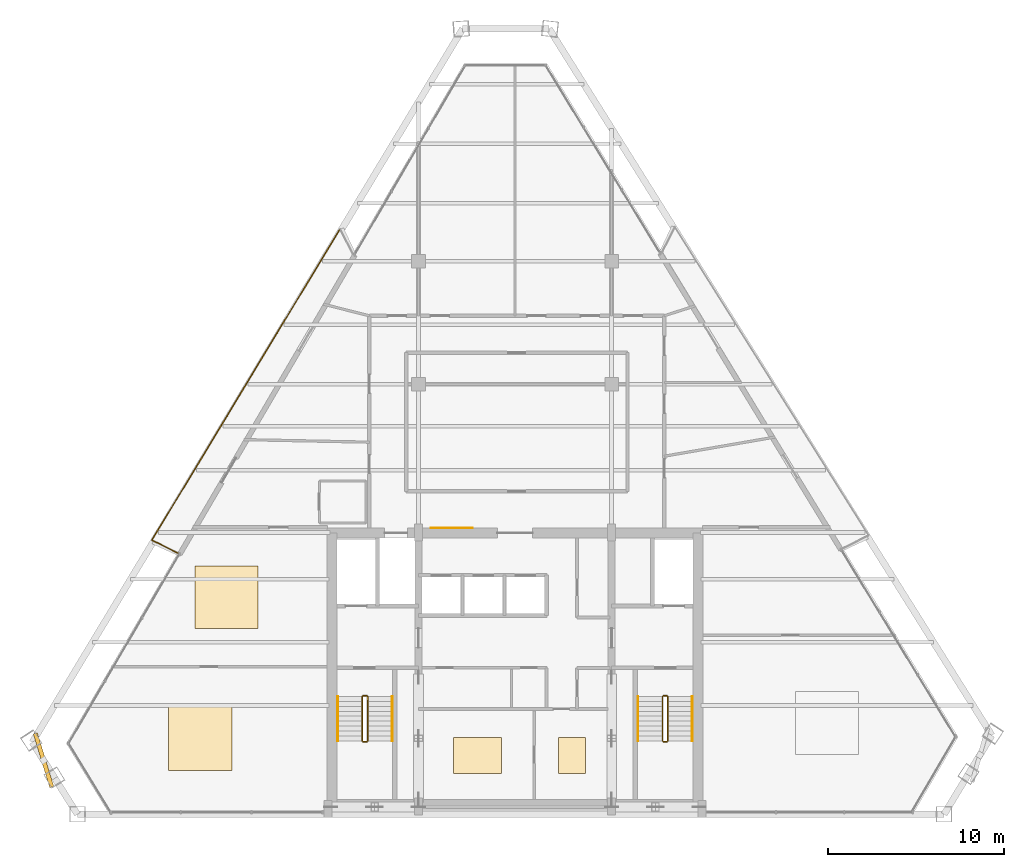
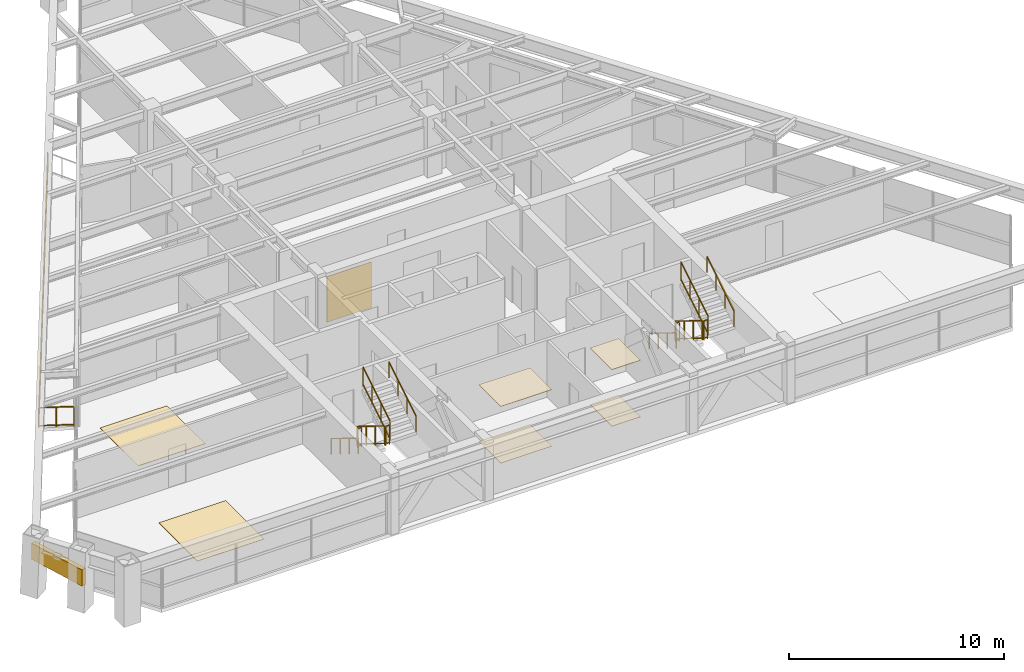
# One storey, part 12 of 13: 14 railings, 7 coverings, 1 shading device.
"""IFC4 building model written with IfcOpenShell, lengths in metres."""

from ifc_helpers import new_model, si_unit, direction, frame, origin, origin_2d, place, context, subcontext, project, spatial, rectangle, extrude, source, transform, mapped, material, layer, layer_set, type_object, type_shapes, element, save


model = new_model("IFC4")

# Units and contexts
model_context = context("Model", 3, precision=1e-05, world=origin(), true_north=direction((0.0, 1.0)))
body_context = subcontext(model_context, "Body", "Model", "MODEL_VIEW")
ifc_project = project(units=[si_unit("LENGTHUNIT", "METRE"), si_unit("AREAUNIT", "SQUARE_METRE"), si_unit("VOLUMEUNIT", "CUBIC_METRE"), si_unit("PLANEANGLEUNIT", "RADIAN"), si_unit("MASSUNIT", "GRAM", prefix="KILO")], contexts=[model_context])

# Site, building, storey
site_placement = place(None, origin())
site = spatial("IfcSite", under=ifc_project, at=site_placement, CompositionType="ELEMENT")
building_placement = place(site_placement, origin())
building = spatial("IfcBuilding", under=site, at=building_placement, Name="Varnakhor Terracotta Tower", CompositionType="ELEMENT")
storey_placement = place(building_placement, frame((0.0, 0.0, 251.050048828125)))
storey = spatial("IfcBuildingStorey", under=building, at=storey_placement, Name="L65", CompositionType="ELEMENT", Elevation=251.050048828125)

# Railings
ifc_material_1 = material(Name="Stainless Steel & Laminated Glass Guardrail", Category="steel")
railing_type_1 = type_object("IfcRailingType", Name="RLG-LOGGIA-GUARD-1150", PredefinedType="GUARDRAIL", material=ifc_material_1)
railing_1_placement = place(storey_placement, frame((-19.22021484375, 14.88525390625, 0.0)))
element("IfcRailing", 1, at=railing_1_placement, inside=storey, type_object=railing_type_1, Name="L65 W Loggia Glass Guard 1", PredefinedType="GUARDRAIL", context=body_context, shape_type="SweptSolid", body=[
    extrude(rectangle(XDim=0.048095703125, YDim=0.048095703125, at=origin_2d()), frame((0.0, 0.0, 1.1259765625), z_axis=(-0.894069157909, 0.447928946235, 0.0), x_axis=(-0.447928946235, -0.894069157909, 0.0)), (0.0, 0.0, 1.0), 1.637939453125),
    extrude(rectangle(XDim=0.048095703125, YDim=0.048095703125, at=origin_2d()), frame((0.0, 0.0, 0.10009765625), z_axis=(-0.894069157909, 0.447928946235, 0.0), x_axis=(-0.447928946235, -0.894069157909, 0.0)), (0.0, 0.0, 1.0), 1.637939453125),
    extrude(rectangle(XDim=0.0419921875, YDim=0.0419921875, at=origin_2d()), origin(), (0.0, 0.0, 1.0), 1.101806640625),
    extrude(rectangle(XDim=0.0419921875, YDim=0.0419921875, at=origin_2d()), frame((-0.732177734375, 0.36669921875, 0.0)), (0.0, 0.0, 1.0), 1.101806640625),
    extrude(rectangle(XDim=0.0419921875, YDim=0.0419921875, at=origin_2d()), frame((-1.46435546875, 0.733642578125, 0.0)), (0.0, 0.0, 1.0), 1.101806640625),
])
railing_2_placement = place(storey_placement, frame((-20.6845703125, 15.618896484375, 0.0)))
element("IfcRailing", 2, at=railing_2_placement, inside=storey, type_object=railing_type_1, Name="L65 W Loggia Glass Guard 2", PredefinedType="GUARDRAIL", context=body_context, shape_type="SweptSolid", body=[
    extrude(rectangle(XDim=0.048095703125, YDim=0.048095703125, at=origin_2d()), frame((0.0, 0.0, 1.1259765625), z_axis=(0.517249114204, 0.855834887029, 0.0), x_axis=(-0.855834887029, 0.517249114204, 0.0)), (0.0, 0.0, 1.0), 20.713134765625),
    extrude(rectangle(XDim=0.048095703125, YDim=0.048095703125, at=origin_2d()), frame((0.0, 0.0, 0.10009765625), z_axis=(0.517249114204, 0.855834887029, 0.0), x_axis=(-0.855834887029, 0.517249114204, 0.0)), (0.0, 0.0, 1.0), 20.713134765625),
    extrude(rectangle(XDim=0.0419921875, YDim=0.0419921875, at=origin_2d()), origin(), (0.0, 0.0, 1.0), 1.101806640625),
    extrude(rectangle(XDim=0.0419921875, YDim=0.0419921875, at=origin_2d()), frame((0.71435546875, 1.181884765625, 0.0)), (0.0, 0.0, 1.0), 1.101806640625),
    extrude(rectangle(XDim=0.0419921875, YDim=0.0419921875, at=origin_2d()), frame((1.428466796875, 2.363525390625, 0.0)), (0.0, 0.0, 1.0), 1.101806640625),
    extrude(rectangle(XDim=0.0419921875, YDim=0.0419921875, at=origin_2d()), frame((2.142822265625, 3.54541015625, 0.0)), (0.0, 0.0, 1.0), 1.101806640625),
    extrude(rectangle(XDim=0.0419921875, YDim=0.0419921875, at=origin_2d()), frame((2.85693359375, 4.727294921875, 0.0)), (0.0, 0.0, 1.0), 1.101806640625),
    extrude(rectangle(XDim=0.0419921875, YDim=0.0419921875, at=origin_2d()), frame((3.5712890625, 5.908935546875, 0.0)), (0.0, 0.0, 1.0), 1.101806640625),
    extrude(rectangle(XDim=0.0419921875, YDim=0.0419921875, at=origin_2d()), frame((4.28564453125, 7.0908203125, 0.0)), (0.0, 0.0, 1.0), 1.101806640625),
    extrude(rectangle(XDim=0.0419921875, YDim=0.0419921875, at=origin_2d()), frame((4.999755859375, 8.272705078125, 0.0)), (0.0, 0.0, 1.0), 1.101806640625),
    extrude(rectangle(XDim=0.0419921875, YDim=0.0419921875, at=origin_2d()), frame((5.714111328125, 9.454345703125, 0.0)), (0.0, 0.0, 1.0), 1.101806640625),
    extrude(rectangle(XDim=0.0419921875, YDim=0.0419921875, at=origin_2d()), frame((6.42822265625, 10.63623046875, 0.0)), (0.0, 0.0, 1.0), 1.101806640625),
    extrude(rectangle(XDim=0.0419921875, YDim=0.0419921875, at=origin_2d()), frame((7.142578125, 11.818115234375, 0.0)), (0.0, 0.0, 1.0), 1.101806640625),
    extrude(rectangle(XDim=0.0419921875, YDim=0.0419921875, at=origin_2d()), frame((7.85693359375, 12.999755859375, 0.0)), (0.0, 0.0, 1.0), 1.101806640625),
    extrude(rectangle(XDim=0.0419921875, YDim=0.0419921875, at=origin_2d()), frame((8.571044921875, 14.181640625, 0.0)), (0.0, 0.0, 1.0), 1.101806640625),
    extrude(rectangle(XDim=0.0419921875, YDim=0.0419921875, at=origin_2d()), frame((9.285400390625, 15.363525390625, 0.0)), (0.0, 0.0, 1.0), 1.101806640625),
    extrude(rectangle(XDim=0.0419921875, YDim=0.0419921875, at=origin_2d()), frame((9.99951171875, 16.545166015625, 0.0)), (0.0, 0.0, 1.0), 1.101806640625),
    extrude(rectangle(XDim=0.0419921875, YDim=0.0419921875, at=origin_2d()), frame((10.7138671875, 17.72705078125, 0.0)), (0.0, 0.0, 1.0), 1.101806640625),
])
ifc_material_2 = material(Name="Painted Steel Stairwell Guardrail", Category="steel")
railing_type_2 = type_object("IfcRailingType", Name="RLG-STAIR-GUARD-1120", PredefinedType="GUARDRAIL", material=ifc_material_2)
railing_3_placement = place(storey_placement, frame((-8.699951171875, 6.7099609375, 0.17236328125)))
element("IfcRailing", 3, at=railing_3_placement, inside=storey, type_object=railing_type_2, Name="L65 ST-1 stair guard 1", PredefinedType="GUARDRAIL", context=body_context, shape_type="SweptSolid", body=[
    extrude(rectangle(XDim=0.048095703125, YDim=0.048095703125, at=origin_2d()), frame((0.0, 0.0, 1.09619140625), z_axis=(0.0, -0.851400495292, 0.524516154772), x_axis=(1.0, 0.0, 0.0)), (0.0, 0.0, 1.0), 2.9599609375),
    extrude(rectangle(XDim=0.048095703125, YDim=0.048095703125, at=origin_2d()), frame((0.0, 0.0, 0.10009765625), z_axis=(0.0, -0.851400495292, 0.524516154772), x_axis=(1.0, 0.0, 0.0)), (0.0, 0.0, 1.0), 2.9599609375),
    extrude(rectangle(XDim=0.0419921875, YDim=0.0419921875, at=origin_2d()), origin(), (0.0, 0.0, 1.0), 1.072021484375),
    extrude(rectangle(XDim=0.0419921875, YDim=0.0419921875, at=origin_2d()), frame((0.0, -0.840087890625, 0.517578125)), (0.0, 0.0, 1.0), 1.072021484375),
    extrude(rectangle(XDim=0.0419921875, YDim=0.0419921875, at=origin_2d()), frame((0.0, -1.679931640625, 1.034912109375)), (0.0, 0.0, 1.0), 1.072021484375),
    extrude(rectangle(XDim=0.0419921875, YDim=0.0419921875, at=origin_2d()), frame((0.0, -2.52001953125, 1.552490234375)), (0.0, 0.0, 1.0), 1.072021484375),
])
railing_4_placement = place(storey_placement, frame((-8.64990234375, 4.139892578125, 1.724853515625)))
element("IfcRailing", 4, at=railing_4_placement, inside=storey, type_object=railing_type_2, Name="L65 ST-1 stair guard 2", PredefinedType="GUARDRAIL", context=body_context, shape_type="SweptSolid", body=[
    extrude(rectangle(XDim=0.048095703125, YDim=0.048095703125, at=origin_2d()), frame((0.0, 0.0, 1.09619140625), z_axis=(1.0, 0.0, 0.0), x_axis=(0.0, 1.0, 0.0)), (0.0, 0.0, 1.0), 0.199951171875),
    extrude(rectangle(XDim=0.048095703125, YDim=0.048095703125, at=origin_2d()), frame((0.0, 0.0, 0.10009765625), z_axis=(1.0, 0.0, 0.0), x_axis=(0.0, 1.0, 0.0)), (0.0, 0.0, 1.0), 0.199951171875),
    extrude(rectangle(XDim=0.0419921875, YDim=0.0419921875, at=origin_2d()), origin(), (0.0, 0.0, 1.0), 1.072021484375),
    extrude(rectangle(XDim=0.0419921875, YDim=0.0419921875, at=origin_2d()), frame((0.199951171875, 0.0, 0.0)), (0.0, 0.0, 1.0), 1.072021484375),
])
railing_5_placement = place(storey_placement, frame((-8.39990234375, 4.18994140625, 1.8974609375)))
element("IfcRailing", 5, at=railing_5_placement, inside=storey, type_object=railing_type_2, Name="L65 ST-1 stair guard 3", PredefinedType="GUARDRAIL", context=body_context, shape_type="SweptSolid", body=[
    extrude(rectangle(XDim=0.048095703125, YDim=0.048095703125, at=origin_2d()), frame((0.0, 0.0, 1.09619140625), z_axis=(0.0, 0.851400495292, 0.524516154772), x_axis=(-1.0, 0.0, 0.0)), (0.0, 0.0, 1.0), 2.9599609375),
    extrude(rectangle(XDim=0.048095703125, YDim=0.048095703125, at=origin_2d()), frame((0.0, 0.0, 0.10009765625), z_axis=(0.0, 0.851400495292, 0.524516154772), x_axis=(-1.0, 0.0, 0.0)), (0.0, 0.0, 1.0), 2.9599609375),
    extrude(rectangle(XDim=0.0419921875, YDim=0.0419921875, at=origin_2d()), origin(), (0.0, 0.0, 1.0), 1.072021484375),
    extrude(rectangle(XDim=0.0419921875, YDim=0.0419921875, at=origin_2d()), frame((0.0, 0.840087890625, 0.517578125)), (0.0, 0.0, 1.0), 1.072021484375),
    extrude(rectangle(XDim=0.0419921875, YDim=0.0419921875, at=origin_2d()), frame((0.0, 1.679931640625, 1.034912109375)), (0.0, 0.0, 1.0), 1.072021484375),
    extrude(rectangle(XDim=0.0419921875, YDim=0.0419921875, at=origin_2d()), frame((0.0, 2.52001953125, 1.552490234375)), (0.0, 0.0, 1.0), 1.072021484375),
])
railing_6_placement = place(storey_placement, frame((-8.64990234375, 6.760009765625, 0.0)))
element("IfcRailing", 6, at=railing_6_placement, inside=storey, type_object=railing_type_2, Name="L65 ST-1 stair guard 4", PredefinedType="GUARDRAIL", context=body_context, shape_type="SweptSolid", body=[
    extrude(rectangle(XDim=0.048095703125, YDim=0.048095703125, at=origin_2d()), frame((0.0, 0.0, 1.09619140625), z_axis=(1.0, 0.0, 0.0), x_axis=(0.0, 1.0, 0.0)), (0.0, 0.0, 1.0), 0.199951171875),
    extrude(rectangle(XDim=0.048095703125, YDim=0.048095703125, at=origin_2d()), frame((0.0, 0.0, 0.10009765625), z_axis=(1.0, 0.0, 0.0), x_axis=(0.0, 1.0, 0.0)), (0.0, 0.0, 1.0), 0.199951171875),
    extrude(rectangle(XDim=0.0419921875, YDim=0.0419921875, at=origin_2d()), origin(), (0.0, 0.0, 1.0), 1.072021484375),
    extrude(rectangle(XDim=0.0419921875, YDim=0.0419921875, at=origin_2d()), frame((0.199951171875, 0.0, 0.0)), (0.0, 0.0, 1.0), 1.072021484375),
])
railing_7_placement = place(storey_placement, frame((8.39990234375, 6.7099609375, 0.17236328125)))
element("IfcRailing", 7, at=railing_7_placement, inside=storey, type_object=railing_type_2, Name="L65 ST-2 stair guard 1", PredefinedType="GUARDRAIL", context=body_context, shape_type="SweptSolid", body=[
    extrude(rectangle(XDim=0.048095703125, YDim=0.048095703125, at=origin_2d()), frame((0.0, 0.0, 1.09619140625), z_axis=(0.0, -0.851400495292, 0.524516154772), x_axis=(1.0, 0.0, 0.0)), (0.0, 0.0, 1.0), 2.9599609375),
    extrude(rectangle(XDim=0.048095703125, YDim=0.048095703125, at=origin_2d()), frame((0.0, 0.0, 0.10009765625), z_axis=(0.0, -0.851400495292, 0.524516154772), x_axis=(1.0, 0.0, 0.0)), (0.0, 0.0, 1.0), 2.9599609375),
    extrude(rectangle(XDim=0.0419921875, YDim=0.0419921875, at=origin_2d()), origin(), (0.0, 0.0, 1.0), 1.072021484375),
    extrude(rectangle(XDim=0.0419921875, YDim=0.0419921875, at=origin_2d()), frame((0.0, -0.840087890625, 0.517578125)), (0.0, 0.0, 1.0), 1.072021484375),
    extrude(rectangle(XDim=0.0419921875, YDim=0.0419921875, at=origin_2d()), frame((0.0, -1.679931640625, 1.034912109375)), (0.0, 0.0, 1.0), 1.072021484375),
    extrude(rectangle(XDim=0.0419921875, YDim=0.0419921875, at=origin_2d()), frame((0.0, -2.52001953125, 1.552490234375)), (0.0, 0.0, 1.0), 1.072021484375),
])
railing_8_placement = place(storey_placement, frame((8.449951171875, 4.139892578125, 1.724853515625)))
element("IfcRailing", 8, at=railing_8_placement, inside=storey, type_object=railing_type_2, Name="L65 ST-2 stair guard 2", PredefinedType="GUARDRAIL", context=body_context, shape_type="SweptSolid", body=[
    extrude(rectangle(XDim=0.048095703125, YDim=0.048095703125, at=origin_2d()), frame((0.0, 0.0, 1.09619140625), z_axis=(1.0, 0.0, 0.0), x_axis=(0.0, 1.0, 0.0)), (0.0, 0.0, 1.0), 0.199951171875),
    extrude(rectangle(XDim=0.048095703125, YDim=0.048095703125, at=origin_2d()), frame((0.0, 0.0, 0.10009765625), z_axis=(1.0, 0.0, 0.0), x_axis=(0.0, 1.0, 0.0)), (0.0, 0.0, 1.0), 0.199951171875),
    extrude(rectangle(XDim=0.0419921875, YDim=0.0419921875, at=origin_2d()), origin(), (0.0, 0.0, 1.0), 1.072021484375),
    extrude(rectangle(XDim=0.0419921875, YDim=0.0419921875, at=origin_2d()), frame((0.199951171875, 0.0, 0.0)), (0.0, 0.0, 1.0), 1.072021484375),
])
railing_9_placement = place(storey_placement, frame((8.699951171875, 4.18994140625, 1.8974609375)))
element("IfcRailing", 9, at=railing_9_placement, inside=storey, type_object=railing_type_2, Name="L65 ST-2 stair guard 3", PredefinedType="GUARDRAIL", context=body_context, shape_type="SweptSolid", body=[
    extrude(rectangle(XDim=0.048095703125, YDim=0.048095703125, at=origin_2d()), frame((0.0, 0.0, 1.09619140625), z_axis=(0.0, 0.851400495292, 0.524516154772), x_axis=(-1.0, 0.0, 0.0)), (0.0, 0.0, 1.0), 2.9599609375),
    extrude(rectangle(XDim=0.048095703125, YDim=0.048095703125, at=origin_2d()), frame((0.0, 0.0, 0.10009765625), z_axis=(0.0, 0.851400495292, 0.524516154772), x_axis=(-1.0, 0.0, 0.0)), (0.0, 0.0, 1.0), 2.9599609375),
    extrude(rectangle(XDim=0.0419921875, YDim=0.0419921875, at=origin_2d()), origin(), (0.0, 0.0, 1.0), 1.072021484375),
    extrude(rectangle(XDim=0.0419921875, YDim=0.0419921875, at=origin_2d()), frame((0.0, 0.840087890625, 0.517578125)), (0.0, 0.0, 1.0), 1.072021484375),
    extrude(rectangle(XDim=0.0419921875, YDim=0.0419921875, at=origin_2d()), frame((0.0, 1.679931640625, 1.034912109375)), (0.0, 0.0, 1.0), 1.072021484375),
    extrude(rectangle(XDim=0.0419921875, YDim=0.0419921875, at=origin_2d()), frame((0.0, 2.52001953125, 1.552490234375)), (0.0, 0.0, 1.0), 1.072021484375),
])
railing_10_placement = place(storey_placement, frame((8.449951171875, 6.760009765625, 0.0)))
element("IfcRailing", 10, at=railing_10_placement, inside=storey, type_object=railing_type_2, Name="L65 ST-2 stair guard 4", PredefinedType="GUARDRAIL", context=body_context, shape_type="SweptSolid", body=[
    extrude(rectangle(XDim=0.048095703125, YDim=0.048095703125, at=origin_2d()), frame((0.0, 0.0, 1.09619140625), z_axis=(1.0, 0.0, 0.0), x_axis=(0.0, 1.0, 0.0)), (0.0, 0.0, 1.0), 0.199951171875),
    extrude(rectangle(XDim=0.048095703125, YDim=0.048095703125, at=origin_2d()), frame((0.0, 0.0, 0.10009765625), z_axis=(1.0, 0.0, 0.0), x_axis=(0.0, 1.0, 0.0)), (0.0, 0.0, 1.0), 0.199951171875),
    extrude(rectangle(XDim=0.0419921875, YDim=0.0419921875, at=origin_2d()), origin(), (0.0, 0.0, 1.0), 1.072021484375),
    extrude(rectangle(XDim=0.0419921875, YDim=0.0419921875, at=origin_2d()), frame((0.199951171875, 0.0, 0.0)), (0.0, 0.0, 1.0), 1.072021484375),
])
ifc_material_3 = material(Name="Brushed Stainless Steel Handrail", Category="steel")
railing_type_3 = type_object("IfcRailingType", Name="RLG-STAIR-HANDRAIL-920", PredefinedType="HANDRAIL", material=ifc_material_3)
railing_11_placement = place(storey_placement, frame((-10.10009765625, 6.7099609375, 0.17236328125)))
element("IfcRailing", 11, at=railing_11_placement, inside=storey, type_object=railing_type_3, Name="L65 ST-1 stair handrail 1", PredefinedType="HANDRAIL", context=body_context, shape_type="SweptSolid", body=[
    extrude(rectangle(XDim=0.048095703125, YDim=0.048095703125, at=origin_2d()), frame((0.0, 0.0, 0.89599609375), z_axis=(0.0, -0.851400495292, 0.524516154772), x_axis=(1.0, 0.0, 0.0)), (0.0, 0.0, 1.0), 2.9599609375),
    extrude(rectangle(XDim=0.0419921875, YDim=0.0419921875, at=origin_2d()), origin(), (0.0, 0.0, 1.0), 0.871826171875),
    extrude(rectangle(XDim=0.0419921875, YDim=0.0419921875, at=origin_2d()), frame((0.0, -0.840087890625, 0.517578125)), (0.0, 0.0, 1.0), 0.871826171875),
    extrude(rectangle(XDim=0.0419921875, YDim=0.0419921875, at=origin_2d()), frame((0.0, -1.679931640625, 1.034912109375)), (0.0, 0.0, 1.0), 0.871826171875),
    extrude(rectangle(XDim=0.0419921875, YDim=0.0419921875, at=origin_2d()), frame((0.0, -2.52001953125, 1.552490234375)), (0.0, 0.0, 1.0), 0.871826171875),
])
railing_12_placement = place(storey_placement, frame((-7.0, 4.18994140625, 1.8974609375)))
element("IfcRailing", 12, at=railing_12_placement, inside=storey, type_object=railing_type_3, Name="L65 ST-1 stair handrail 2", PredefinedType="HANDRAIL", context=body_context, shape_type="SweptSolid", body=[
    extrude(rectangle(XDim=0.048095703125, YDim=0.048095703125, at=origin_2d()), frame((0.0, 0.0, 0.89599609375), z_axis=(0.0, 0.851400495292, 0.524516154772), x_axis=(-1.0, 0.0, 0.0)), (0.0, 0.0, 1.0), 2.9599609375),
    extrude(rectangle(XDim=0.0419921875, YDim=0.0419921875, at=origin_2d()), origin(), (0.0, 0.0, 1.0), 0.871826171875),
    extrude(rectangle(XDim=0.0419921875, YDim=0.0419921875, at=origin_2d()), frame((0.0, 0.840087890625, 0.517578125)), (0.0, 0.0, 1.0), 0.871826171875),
    extrude(rectangle(XDim=0.0419921875, YDim=0.0419921875, at=origin_2d()), frame((0.0, 1.679931640625, 1.034912109375)), (0.0, 0.0, 1.0), 0.871826171875),
    extrude(rectangle(XDim=0.0419921875, YDim=0.0419921875, at=origin_2d()), frame((0.0, 2.52001953125, 1.552490234375)), (0.0, 0.0, 1.0), 0.871826171875),
])
railing_13_placement = place(storey_placement, frame((7.0, 6.7099609375, 0.17236328125)))
element("IfcRailing", 13, at=railing_13_placement, inside=storey, type_object=railing_type_3, Name="L65 ST-2 stair handrail 1", PredefinedType="HANDRAIL", context=body_context, shape_type="SweptSolid", body=[
    extrude(rectangle(XDim=0.048095703125, YDim=0.048095703125, at=origin_2d()), frame((0.0, 0.0, 0.89599609375), z_axis=(0.0, -0.851400495292, 0.524516154772), x_axis=(1.0, 0.0, 0.0)), (0.0, 0.0, 1.0), 2.9599609375),
    extrude(rectangle(XDim=0.0419921875, YDim=0.0419921875, at=origin_2d()), origin(), (0.0, 0.0, 1.0), 0.871826171875),
    extrude(rectangle(XDim=0.0419921875, YDim=0.0419921875, at=origin_2d()), frame((0.0, -0.840087890625, 0.517578125)), (0.0, 0.0, 1.0), 0.871826171875),
    extrude(rectangle(XDim=0.0419921875, YDim=0.0419921875, at=origin_2d()), frame((0.0, -1.679931640625, 1.034912109375)), (0.0, 0.0, 1.0), 0.871826171875),
    extrude(rectangle(XDim=0.0419921875, YDim=0.0419921875, at=origin_2d()), frame((0.0, -2.52001953125, 1.552490234375)), (0.0, 0.0, 1.0), 0.871826171875),
])
railing_14_placement = place(storey_placement, frame((10.10009765625, 4.18994140625, 1.8974609375)))
element("IfcRailing", 14, at=railing_14_placement, inside=storey, type_object=railing_type_3, Name="L65 ST-2 stair handrail 2", PredefinedType="HANDRAIL", context=body_context, shape_type="SweptSolid", body=[
    extrude(rectangle(XDim=0.048095703125, YDim=0.048095703125, at=origin_2d()), frame((0.0, 0.0, 0.89599609375), z_axis=(0.0, 0.851400495292, 0.524516154772), x_axis=(-1.0, 0.0, 0.0)), (0.0, 0.0, 1.0), 2.9599609375),
    extrude(rectangle(XDim=0.0419921875, YDim=0.0419921875, at=origin_2d()), origin(), (0.0, 0.0, 1.0), 0.871826171875),
    extrude(rectangle(XDim=0.0419921875, YDim=0.0419921875, at=origin_2d()), frame((0.0, 0.840087890625, 0.517578125)), (0.0, 0.0, 1.0), 0.871826171875),
    extrude(rectangle(XDim=0.0419921875, YDim=0.0419921875, at=origin_2d()), frame((0.0, 1.679931640625, 1.034912109375)), (0.0, 0.0, 1.0), 0.871826171875),
    extrude(rectangle(XDim=0.0419921875, YDim=0.0419921875, at=origin_2d()), frame((0.0, 2.52001953125, 1.552490234375)), (0.0, 0.0, 1.0), 0.871826171875),
])

# Shading device
ifc_material_4 = material(Name="Extruded Architectural Terracotta Screen", Category="masonry")
shading_device_type = type_object("IfcShadingDeviceType", Name="TERRACOTTA SOLAR SCREEN W", PredefinedType="USERDEFINED", material=ifc_material_4)
shared_shape_1 = source(origin(), body_context, "Body", "SweptSolid", [
    extrude(rectangle(XDim=3.199951171875, YDim=0.239990234375, at=origin_2d()), origin(), (0.0, 0.0, 1.0), 0.919921875),
])
type_shapes(shading_device_type, [shared_shape_1])
shading_device_placement = place(storey_placement, frame((-26.857177734375, 3.080322265625, 1.56201171875), z_axis=(0.0, 0.0, 1.0), x_axis=(0.293506463878, -0.955957088818, 0.0)))
element("IfcShadingDevice", 15, at=shading_device_placement, inside=storey, type_object=shading_device_type, Name="L65 W Terracotta Solar Screen", ObjectType="SCREEN", PredefinedType="USERDEFINED", context=body_context, shape_type="MappedRepresentation", body=[
    mapped(shared_shape_1, transform((0.0, 0.0, 0.0), scale=1.0)),
])

# Coverings
ifc_material_5 = material(Name="Extruded Architectural Terracotta Cladding", Category="masonry")
ifc_layer_1 = layer(ifc_material_5, 0.044921875, Name="Extruded Architectural Terracotta Cladding")
ifc_layer_set_1 = layer_set([ifc_layer_1], Name="Extruded Architectural Terracotta Cladding")
covering_type_1 = type_object("IfcCoveringType", Name="COV-CLAD-TERRACOTTA", PredefinedType="CLADDING", material=ifc_layer_set_1)
shared_shape_2 = source(origin(), body_context, "Body", "SweptSolid", [
    extrude(rectangle(XDim=2.39990234375, YDim=0.030029296875, at=origin_2d()), origin(), (0.0, 0.0, 1.0), 2.60009765625),
])
type_shapes(covering_type_1, [shared_shape_2])
covering_1_placement = place(storey_placement, frame((-3.60009765625, 16.31201171875, 0.0), z_axis=(0.0, 0.0, 1.0), x_axis=(1.0, 0.0, 0.0)))
element("IfcCovering", 16, at=covering_1_placement, inside=storey, type_object=covering_type_1, Name="L65 Core Lobby Limestone Cladding", PredefinedType="CLADDING", context=body_context, shape_type="MappedRepresentation", body=[
    mapped(shared_shape_2, transform((0.0, 0.0, 0.0), scale=1.0)),
])
ifc_material_6 = material(Name="Honed Riyadh Limestone Flooring", Category="masonry")
ifc_layer_2 = layer(ifc_material_6, 0.030029296875, Name="Honed Riyadh Limestone Flooring")
ifc_layer_set_2 = layer_set([ifc_layer_2], Name="Honed Riyadh Limestone Flooring")
covering_type_2 = type_object("IfcCoveringType", Name="COV-FLOOR-LIMESTONE", PredefinedType="FLOORING", material=ifc_layer_set_2)
shared_shape_3 = source(origin(), body_context, "Body", "SweptSolid", [
    extrude(rectangle(XDim=3.60009765625, YDim=3.60009765625, at=origin_2d()), origin(), (0.0, 0.0, 1.0), 0.02001953125),
])
covering_2_placement = place(storey_placement, frame((-17.927001953125, 4.303955078125, 0.0), z_axis=(0.0, 0.0, 1.0), x_axis=(1.0, 0.0, 0.0)))
element("IfcCovering", 17, at=covering_2_placement, inside=storey, type_object=covering_type_2, Name="L65 Honed Stone Flooring 3", PredefinedType="FLOORING", context=body_context, shape_type="MappedRepresentation", body=[
    mapped(shared_shape_3, transform((0.0, 0.0, 0.0), scale=1.0)),
])
shared_shape_4 = source(origin(), body_context, "Body", "SweptSolid", [
    extrude(rectangle(XDim=2.75, YDim=2.041015625, at=origin_2d()), origin(), (0.0, 0.0, 1.0), 0.02001953125),
])
covering_3_placement = place(storey_placement, frame((-2.139892578125, 3.35498046875, 0.0), z_axis=(0.0, 0.0, 1.0), x_axis=(1.0, 0.0, 0.0)))
element("IfcCovering", 18, at=covering_3_placement, inside=storey, type_object=covering_type_2, Name="L65 Honed Stone Flooring 1", PredefinedType="FLOORING", context=body_context, shape_type="MappedRepresentation", body=[
    mapped(shared_shape_4, transform((0.0, 0.0, 0.0), scale=1.0)),
])
ifc_material_7 = material(Name="Perforated Acoustic Mineral-Fibre Ceiling", Category="gypsum")
ifc_layer_3 = layer(ifc_material_7, 0.02490234375, Name="Perforated Acoustic Mineral-Fibre Ceiling")
ifc_layer_set_3 = layer_set([ifc_layer_3], Name="Perforated Acoustic Mineral-Fibre Ceiling")
covering_type_3 = type_object("IfcCoveringType", Name="COV-CEILING-ACOUSTIC", PredefinedType="CEILING", material=ifc_layer_set_3)
shared_shape_5 = source(origin(), body_context, "Body", "SweptSolid", [
    extrude(rectangle(XDim=2.75, YDim=2.041015625, at=origin_2d()), origin(), (0.0, 0.0, 1.0), 0.02392578125),
])
covering_4_placement = place(storey_placement, frame((-2.139892578125, 3.35498046875, 3.216064453125), z_axis=(0.0, 0.0, 1.0), x_axis=(1.0, 0.0, 0.0)))
element("IfcCovering", 19, at=covering_4_placement, inside=storey, type_object=covering_type_3, Name="L65 Acoustic Ceiling Panel 1", PredefinedType="CEILING", context=body_context, shape_type="MappedRepresentation", body=[
    mapped(shared_shape_5, transform((0.0, 0.0, 0.0), scale=1.0)),
])
shared_shape_6 = source(origin(), body_context, "Body", "SweptSolid", [
    extrude(rectangle(XDim=1.5400390625, YDim=2.041015625, at=origin_2d()), origin(), (0.0, 0.0, 1.0), 0.02001953125),
])
covering_5_placement = place(storey_placement, frame((3.239990234375, 3.35498046875, 0.0), z_axis=(0.0, 0.0, 1.0), x_axis=(1.0, 0.0, 0.0)))
element("IfcCovering", 20, at=covering_5_placement, inside=storey, type_object=covering_type_2, Name="L65 Honed Stone Flooring 2", PredefinedType="FLOORING", context=body_context, shape_type="MappedRepresentation", body=[
    mapped(shared_shape_6, transform((0.0, 0.0, 0.0), scale=1.0)),
])
shared_shape_7 = source(origin(), body_context, "Body", "SweptSolid", [
    extrude(rectangle(XDim=1.5400390625, YDim=2.041015625, at=origin_2d()), origin(), (0.0, 0.0, 1.0), 0.02392578125),
])
covering_6_placement = place(storey_placement, frame((3.239990234375, 3.35498046875, 3.216064453125), z_axis=(0.0, 0.0, 1.0), x_axis=(1.0, 0.0, 0.0)))
element("IfcCovering", 21, at=covering_6_placement, inside=storey, type_object=covering_type_3, Name="L65 Acoustic Ceiling Panel 2", PredefinedType="CEILING", context=body_context, shape_type="MappedRepresentation", body=[
    mapped(shared_shape_7, transform((0.0, 0.0, 0.0), scale=1.0)),
])
shared_shape_8 = source(origin(), body_context, "Body", "SweptSolid", [
    extrude(rectangle(XDim=3.60009765625, YDim=3.56396484375, at=origin_2d()), origin(), (0.0, 0.0, 1.0), 0.02001953125),
])
covering_7_placement = place(storey_placement, frame((-16.443115234375, 12.361083984375, 0.0), z_axis=(0.0, 0.0, 1.0), x_axis=(1.0, 0.0, 0.0)))
element("IfcCovering", 22, at=covering_7_placement, inside=storey, type_object=covering_type_2, Name="L65 Honed Stone Flooring 5", PredefinedType="FLOORING", context=body_context, shape_type="MappedRepresentation", body=[
    mapped(shared_shape_8, transform((0.0, 0.0, 0.0), scale=1.0)),
])

save(model, "model.ifc")
